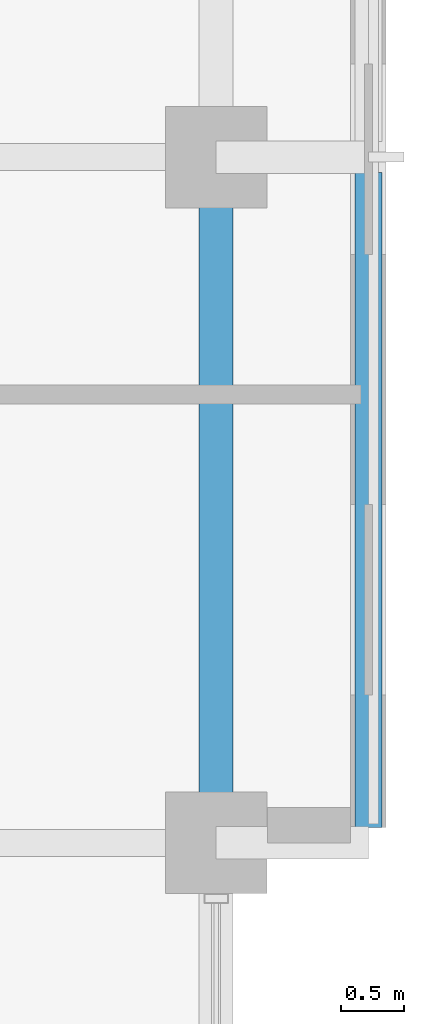
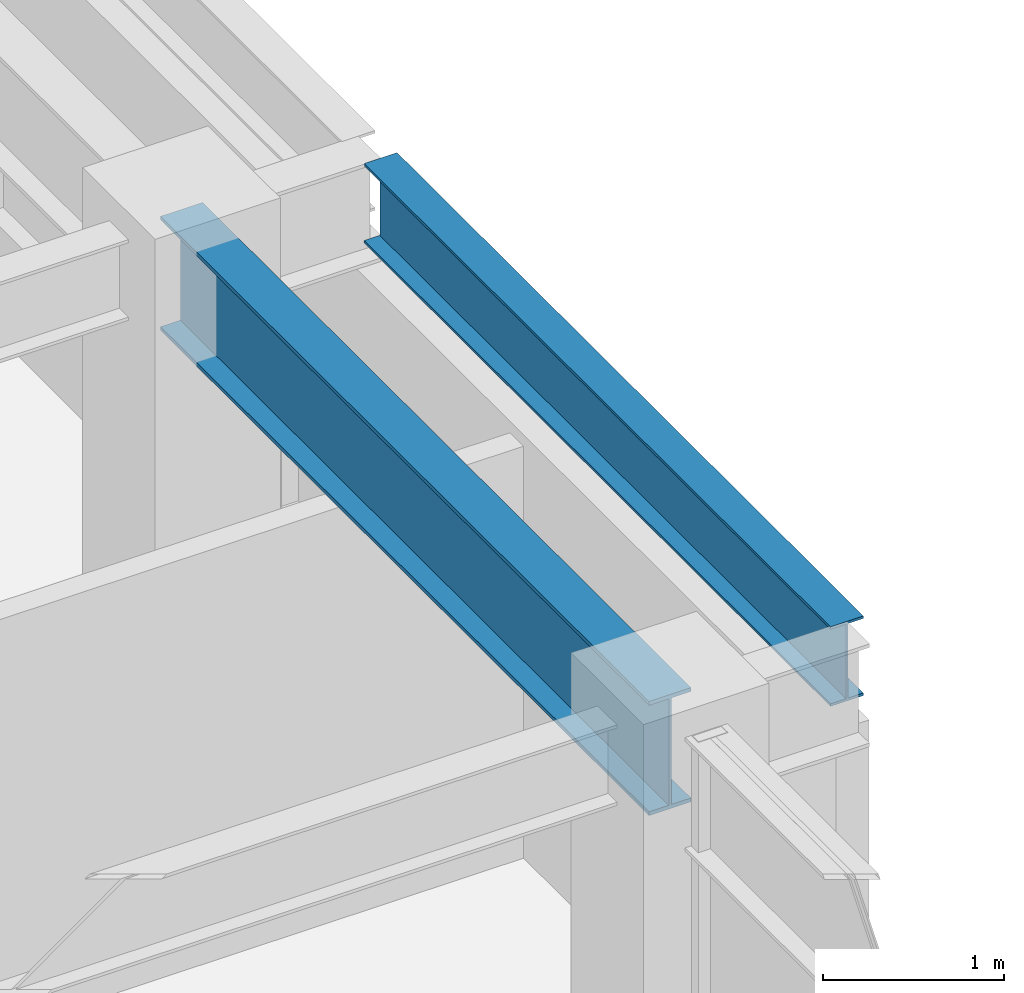
# One storey, part 13 of 30: 2 beams.
"""IFC4 building model written with IfcOpenShell, lengths in metres."""

from ifc_helpers import new_model, si_unit, direction, frame, origin, origin_2d, place, context, subcontext, project, spatial, i_section, extrude, material, material_profile, profile_set, type_object, element, save


model = new_model("IFC4")

# Units and contexts
model_context = context("Model", 3, precision=1e-05, world=origin(), true_north=direction((0.0, 1.0)))
body_context = subcontext(model_context, "Body", "Model", "MODEL_VIEW")
ifc_project = project(units=[si_unit("LENGTHUNIT", "METRE"), si_unit("AREAUNIT", "SQUARE_METRE"), si_unit("VOLUMEUNIT", "CUBIC_METRE"), si_unit("PLANEANGLEUNIT", "RADIAN"), si_unit("MASSUNIT", "GRAM", prefix="KILO")], contexts=[model_context])

# Site, building, storey
site_placement = place(None, origin())
site = spatial("IfcSite", under=ifc_project, at=site_placement, CompositionType="ELEMENT")
building_placement = place(site_placement, origin())
building = spatial("IfcBuilding", under=site, at=building_placement, Name="Surkhivell Harbour Commons", CompositionType="ELEMENT")
storey_placement = place(building_placement, frame((0.0, 0.0, 231.0)))
storey = spatial("IfcBuildingStorey", under=building, at=storey_placement, Name="L60", CompositionType="ELEMENT", Elevation=231.0)

# Beams
ifc_material = material(Name="Steel S355", Category="steel")
ifc_material_profile_1 = material_profile(ifc_material, i_section(OverallWidth=0.2099609375, OverallDepth=0.537109375, WebThickness=0.0107421875, FlangeThickness=0.017333984375, at=origin_2d()), Name="UB533x210x101")
ifc_profile_set_1 = profile_set([ifc_material_profile_1], Name="Steel S355")
beam_type_1 = type_object("IfcBeamType", Name="BM-GRD-533B", PredefinedType="BEAM", material=ifc_profile_set_1)
beam_1_placement = place(storey_placement, frame((22.800048828125, 5.52197265625, 3.301513671875), z_axis=(0.0, 1.0, 0.0), x_axis=(-1.0, 0.0, 0.0)))
element("IfcBeam", 1, at=beam_1_placement, inside=storey, type_object=beam_type_1, Name="L60 Box Rim Spandrel (22.8,5.4)", PredefinedType="BEAM", context=body_context, shape_type="SweptSolid", body=[
    extrude(i_section(OverallWidth=0.2099609375, OverallDepth=0.537109375, WebThickness=0.0107421875, FlangeThickness=0.017333984375, at=origin_2d()), origin(), (0.0, 0.0, 1.0), 5.156005859375),
])
ifc_material_profile_2 = material_profile(ifc_material, i_section(OverallWidth=0.26806640625, OverallDepth=0.77001953125, WebThickness=0.015625, FlangeThickness=0.025390625, at=origin_2d()), Name="UB762x267x197")
ifc_profile_set_2 = profile_set([ifc_material_profile_2], Name="Steel S355")
beam_type_2 = type_object("IfcBeamType", Name="BM-SPN-762", PredefinedType="SPANDREL", material=ifc_profile_set_2)
beam_2_placement = place(storey_placement, frame((21.60009765625, 5.39990234375, 3.18505859375), z_axis=(0.0, 1.0, 0.0), x_axis=(-1.0, 0.0, 0.0)))
element("IfcBeam", 2, at=beam_2_placement, inside=storey, type_object=beam_type_2, Name="L60 Tube Spandrel (21.6,5.4)", PredefinedType="SPANDREL", context=body_context, shape_type="SweptSolid", body=[
    extrude(i_section(OverallWidth=0.26806640625, OverallDepth=0.77001953125, WebThickness=0.015625, FlangeThickness=0.025390625, at=origin_2d()), origin(), (0.0, 0.0, 1.0), 5.400146484375),
])

save(model, "model.ifc")
